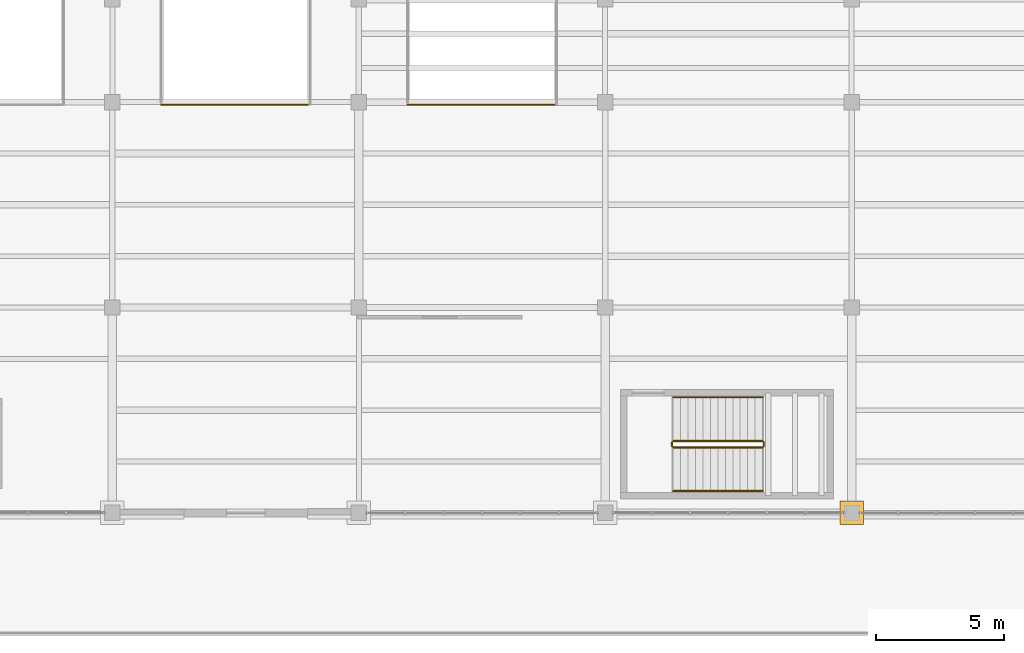
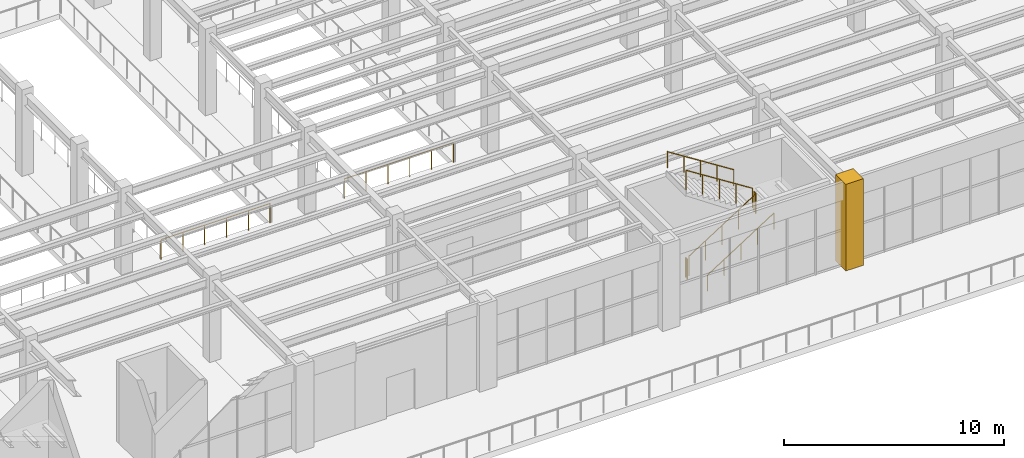
# One storey, part 81 of 83: 8 railings, 1 covering.
"""IFC4 building model written with IfcOpenShell, lengths in metres."""

from ifc_helpers import new_model, si_unit, direction, frame, origin, origin_2d, place, context, subcontext, project, spatial, polyline, circle, outline, extrude, material, layer, layer_set, type_object, element, save


model = new_model("IFC4")

# Units and contexts
model_context = context("Model", 3, precision=1e-05, world=origin(), true_north=direction((0.0, 1.0)))
body_context = subcontext(model_context, "Body", "Model", "MODEL_VIEW")
ifc_project = project(units=[si_unit("LENGTHUNIT", "METRE"), si_unit("AREAUNIT", "SQUARE_METRE"), si_unit("VOLUMEUNIT", "CUBIC_METRE"), si_unit("PLANEANGLEUNIT", "RADIAN"), si_unit("MASSUNIT", "GRAM", prefix="KILO")], contexts=[model_context])

# Site, building, storey
site_placement = place(None, origin())
site = spatial("IfcSite", under=ifc_project, at=site_placement, CompositionType="ELEMENT")
building_placement = place(site_placement, origin())
building = spatial("IfcBuilding", under=site, at=building_placement, Name="Mavantir Sound Aquarium", CompositionType="ELEMENT")
storey_placement = place(building_placement, frame((0.0, 0.0, 10.5)))
storey = spatial("IfcBuildingStorey", under=building, at=storey_placement, Name="L02", CompositionType="ELEMENT", Elevation=10.5)

# Covering
ifc_material_1 = material(Name="Honed Coral-Limestone & Glazed Terracotta Rainscreen Cladding", Category="masonry")
ifc_layer = layer(ifc_material_1, 0.06005859375, Name="Honed Coral-Limestone & Glazed Terracotta Rainscreen Cladding")
ifc_layer_set = layer_set([ifc_layer], Name="Honed Coral-Limestone & Glazed Terracotta Rainscreen Cladding")
covering_type = type_object("IfcCoveringType", Name="COV-CLAD-TC", PredefinedType="CLADDING", material=ifc_layer_set)
covering_placement = place(storey_placement, origin())
element("IfcCovering", 1, at=covering_placement, inside=storey, type_object=covering_type, Name="L02 Postmodern coral-limestone pilaster casing 301", PredefinedType="CLADDING", context=body_context, shape_type="SweptSolid", body=[
    extrude(outline(polyline([(155.5400390625, 40.340087890625), (156.4599609375, 40.340087890625), (156.4599609375, 41.260009765625), (155.5400390625, 41.260009765625), (155.5400390625, 40.340087890625)])), origin(), (0.0, 0.0, 1.0), 4.800048828125),
])

# Railings
ifc_material_2 = material(Name="Stainless Steel 316 and Laminated Glass Guardrail", Category="steel")
railing_type_1 = type_object("IfcRailingType", Name="RL-GUARD-110", PredefinedType="GUARDRAIL", material=ifc_material_2)
for number, where, name in (
    (2, (129.10009765625, 56.699951171875, 0.0), "L02 atrium void S guardrail 135"),
    (3, (138.699951171875, 56.699951171875, 0.0), "L02 atrium void S guardrail 139"),
):
    element("IfcRailing", number, at=place(storey_placement, frame(where)), inside=storey, type_object=railing_type_1, Name=name, PredefinedType="GUARDRAIL", context=body_context, shape_type="SweptSolid", body=[
        extrude(circle(Radius=0.02392578125, at=origin_2d()), frame((0.0, 0.0, 1.076171875), z_axis=(1.0, 0.0, 0.0), x_axis=(0.0, 1.0, 0.0)), (0.0, 0.0, 1.0), 5.719970703125),
        extrude(circle(Radius=0.02099609375, at=origin_2d()), origin(), (0.0, 0.0, 1.0), 1.052001953125),
        extrude(circle(Radius=0.02099609375, at=origin_2d()), frame((1.14404296875, 0.0, 0.0)), (0.0, 0.0, 1.0), 1.052001953125),
        extrude(circle(Radius=0.02099609375, at=origin_2d()), frame((2.2880859375, 0.0, 0.0)), (0.0, 0.0, 1.0), 1.052001953125),
        extrude(circle(Radius=0.02099609375, at=origin_2d()), frame((3.431884765625, 0.0, 0.0)), (0.0, 0.0, 1.0), 1.052001953125),
        extrude(circle(Radius=0.02099609375, at=origin_2d()), frame((4.575927734375, 0.0, 0.0)), (0.0, 0.0, 1.0), 1.052001953125),
        extrude(circle(Radius=0.02099609375, at=origin_2d()), frame((5.719970703125, 0.0, 0.0)), (0.0, 0.0, 1.0), 1.052001953125),
    ])
railing_1_placement = place(storey_placement, frame((149.050048828125, 43.35009765625, 0.1845703125)))
element("IfcRailing", 4, at=railing_1_placement, inside=storey, type_object=railing_type_1, Name="L02 ST12 stair guard 1", PredefinedType="GUARDRAIL", context=body_context, shape_type="SweptSolid", body=[
    extrude(circle(Radius=0.02392578125, at=origin_2d()), frame((0.0, 0.0, 1.076171875), z_axis=(0.843573748531, 0.0, 0.537013343214), x_axis=(0.0, 1.0, 0.0)), (0.0, 0.0, 1.0), 4.125244140625),
    extrude(circle(Radius=0.02099609375, at=origin_2d()), origin(), (0.0, 0.0, 1.0), 1.052001953125),
    extrude(circle(Radius=0.02099609375, at=origin_2d()), frame((0.8701171875, 0.0, 0.5537109375)), (0.0, 0.0, 1.0), 1.052001953125),
    extrude(circle(Radius=0.02099609375, at=origin_2d()), frame((1.739990234375, 0.0, 1.107666015625)), (0.0, 0.0, 1.0), 1.052001953125),
    extrude(circle(Radius=0.02099609375, at=origin_2d()), frame((2.60986328125, 0.0, 1.66162109375)), (0.0, 0.0, 1.0), 1.052001953125),
    extrude(circle(Radius=0.02099609375, at=origin_2d()), frame((3.47998046875, 0.0, 2.21533203125)), (0.0, 0.0, 1.0), 1.052001953125),
])
railing_2_placement = place(storey_placement, frame((152.580078125, 43.39990234375, 2.39990234375)))
element("IfcRailing", 5, at=railing_2_placement, inside=storey, type_object=railing_type_1, Name="L02 ST12 stair guard 2", PredefinedType="GUARDRAIL", context=body_context, shape_type="SweptSolid", body=[
    extrude(circle(Radius=0.02392578125, at=origin_2d()), frame((0.0, 0.0, 1.076171875), z_axis=(0.0, 1.0, 0.0), x_axis=(-1.0, 0.0, 0.0)), (0.0, 0.0, 1.0), 0.150146484375),
    extrude(circle(Radius=0.02099609375, at=origin_2d()), origin(), (0.0, 0.0, 1.0), 1.052001953125),
    extrude(circle(Radius=0.02099609375, at=origin_2d()), frame((0.0, 0.150146484375, 0.0)), (0.0, 0.0, 1.0), 1.052001953125),
])
railing_3_placement = place(storey_placement, frame((152.530029296875, 43.60009765625, 2.584716796875)))
element("IfcRailing", 6, at=railing_3_placement, inside=storey, type_object=railing_type_1, Name="L02 ST12 stair guard 3", PredefinedType="GUARDRAIL", context=body_context, shape_type="SweptSolid", body=[
    extrude(circle(Radius=0.02392578125, at=origin_2d()), frame((0.0, 0.0, 1.076171875), z_axis=(-0.843573748531, 0.0, 0.537013343214), x_axis=(0.0, -1.0, 0.0)), (0.0, 0.0, 1.0), 4.125244140625),
    extrude(circle(Radius=0.02099609375, at=origin_2d()), origin(), (0.0, 0.0, 1.0), 1.052001953125),
    extrude(circle(Radius=0.02099609375, at=origin_2d()), frame((-0.8701171875, 0.0, 0.5537109375)), (0.0, 0.0, 1.0), 1.052001953125),
    extrude(circle(Radius=0.02099609375, at=origin_2d()), frame((-1.739990234375, 0.0, 1.107666015625)), (0.0, 0.0, 1.0), 1.052001953125),
    extrude(circle(Radius=0.02099609375, at=origin_2d()), frame((-2.60986328125, 0.0, 1.66162109375)), (0.0, 0.0, 1.0), 1.052001953125),
    extrude(circle(Radius=0.02099609375, at=origin_2d()), frame((-3.47998046875, 0.0, 2.21533203125)), (0.0, 0.0, 1.0), 1.052001953125),
])
railing_4_placement = place(storey_placement, frame((149.0, 43.39990234375, 0.0)))
element("IfcRailing", 7, at=railing_4_placement, inside=storey, type_object=railing_type_1, Name="L02 ST12 stair guard 4", PredefinedType="GUARDRAIL", context=body_context, shape_type="SweptSolid", body=[
    extrude(circle(Radius=0.02392578125, at=origin_2d()), frame((0.0, 0.0, 1.076171875), z_axis=(0.0, 1.0, 0.0), x_axis=(-1.0, 0.0, 0.0)), (0.0, 0.0, 1.0), 0.150146484375),
    extrude(circle(Radius=0.02099609375, at=origin_2d()), origin(), (0.0, 0.0, 1.0), 1.052001953125),
    extrude(circle(Radius=0.02099609375, at=origin_2d()), frame((0.0, 0.150146484375, 0.0)), (0.0, 0.0, 1.0), 1.052001953125),
])
ifc_material_3 = material(Name="Brushed Stainless Steel 316 Handrail", Category="steel")
railing_type_2 = type_object("IfcRailingType", Name="RL-HR-90", PredefinedType="HANDRAIL", material=ifc_material_3)
railing_5_placement = place(storey_placement, frame((149.050048828125, 41.64990234375, 0.36962890625)))
element("IfcRailing", 8, at=railing_5_placement, inside=storey, type_object=railing_type_2, Name="L02 ST12 stair handrail 1", PredefinedType="HANDRAIL", context=body_context, shape_type="SweptSolid", body=[
    extrude(circle(Radius=0.02392578125, at=origin_2d()), frame((0.0, 0.0, 0.89111328125), z_axis=(0.843573748531, 0.0, 0.537013343214), x_axis=(0.0, 1.0, 0.0)), (0.0, 0.0, 1.0), 4.125244140625),
    extrude(circle(Radius=0.02099609375, at=origin_2d()), origin(), (0.0, 0.0, 1.0), 0.866943359375),
    extrude(circle(Radius=0.02099609375, at=origin_2d()), frame((0.8701171875, 0.0, 0.5537109375)), (0.0, 0.0, 1.0), 0.866943359375),
    extrude(circle(Radius=0.02099609375, at=origin_2d()), frame((1.739990234375, 0.0, 1.107666015625)), (0.0, 0.0, 1.0), 0.866943359375),
    extrude(circle(Radius=0.02099609375, at=origin_2d()), frame((2.60986328125, 0.0, 1.66162109375)), (0.0, 0.0, 1.0), 0.866943359375),
    extrude(circle(Radius=0.02099609375, at=origin_2d()), frame((3.47998046875, 0.0, 2.21533203125)), (0.0, 0.0, 1.0), 0.866943359375),
])
railing_6_placement = place(storey_placement, frame((152.530029296875, 45.300048828125, 2.76953125)))
element("IfcRailing", 9, at=railing_6_placement, inside=storey, type_object=railing_type_2, Name="L02 ST12 stair handrail 2", PredefinedType="HANDRAIL", context=body_context, shape_type="SweptSolid", body=[
    extrude(circle(Radius=0.02392578125, at=origin_2d()), frame((0.0, 0.0, 0.89111328125), z_axis=(-0.843546938479, 0.0, 0.53705545578), x_axis=(0.0, -1.0, 0.0)), (0.0, 0.0, 1.0), 4.12548828125),
    extrude(circle(Radius=0.02099609375, at=origin_2d()), origin(), (0.0, 0.0, 1.0), 0.866943359375),
    extrude(circle(Radius=0.02099609375, at=origin_2d()), frame((-0.8701171875, 0.0, 0.553955078125)), (0.0, 0.0, 1.0), 0.866943359375),
    extrude(circle(Radius=0.02099609375, at=origin_2d()), frame((-1.739990234375, 0.0, 1.10791015625)), (0.0, 0.0, 1.0), 0.866943359375),
    extrude(circle(Radius=0.02099609375, at=origin_2d()), frame((-2.60986328125, 0.0, 1.66162109375)), (0.0, 0.0, 1.0), 0.866943359375),
    extrude(circle(Radius=0.02099609375, at=origin_2d()), frame((-3.47998046875, 0.0, 2.215576171875)), (0.0, 0.0, 1.0), 0.866943359375),
])

save(model, "model.ifc")
